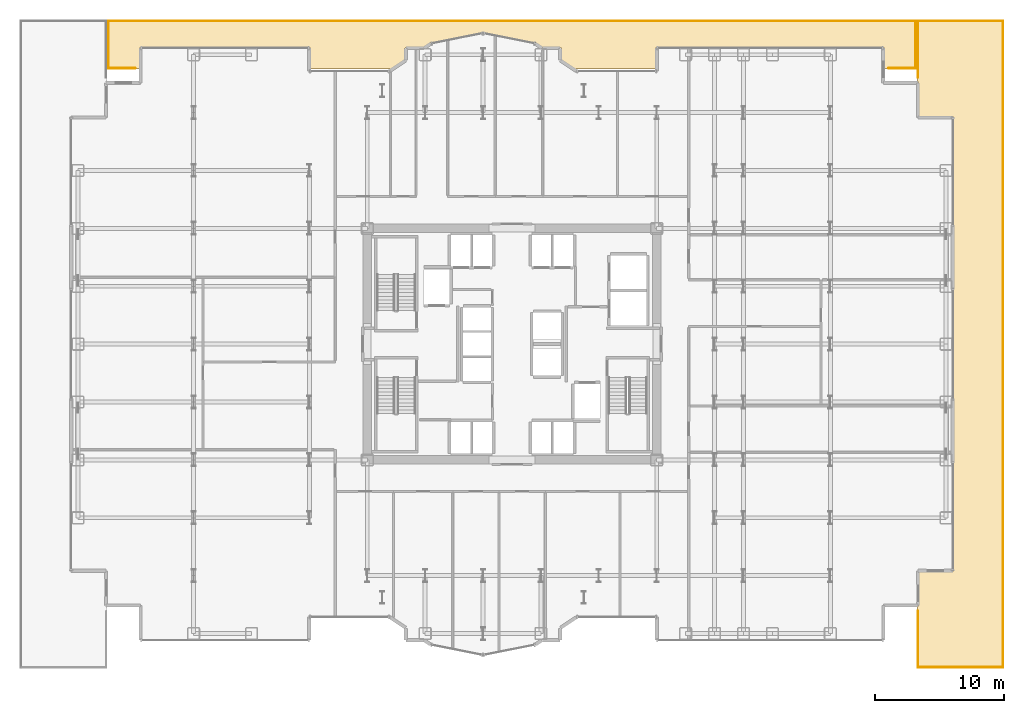
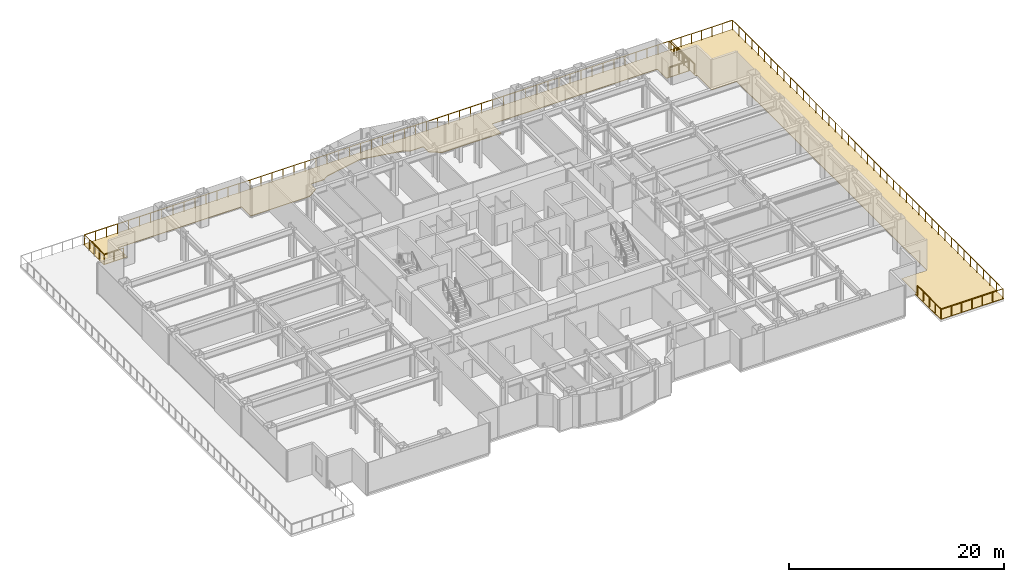
# One storey, part 30 of 30: 4 railings, 2 coverings.
"""IFC4 building model written with IfcOpenShell, lengths in metres."""

from ifc_helpers import new_model, si_unit, direction, frame, origin, origin_2d, place, context, subcontext, project, spatial, polyline, circle, outline, extrude, material, layer, layer_set, type_object, element, save


model = new_model("IFC4")

# Units and contexts
model_context = context("Model", 3, precision=1e-05, world=origin(), true_north=direction((0.0, 1.0)))
body_context = subcontext(model_context, "Body", "Model", "MODEL_VIEW")
ifc_project = project(units=[si_unit("LENGTHUNIT", "METRE"), si_unit("AREAUNIT", "SQUARE_METRE"), si_unit("VOLUMEUNIT", "CUBIC_METRE"), si_unit("PLANEANGLEUNIT", "RADIAN"), si_unit("MASSUNIT", "GRAM", prefix="KILO")], contexts=[model_context])

# Site, building, storey
site_placement = place(None, origin())
site = spatial("IfcSite", under=ifc_project, at=site_placement, CompositionType="ELEMENT")
building_placement = place(site_placement, origin())
building = spatial("IfcBuilding", under=site, at=building_placement, Name="Nefas-Gora Pilgrimage Tower", CompositionType="ELEMENT")
storey_placement = place(building_placement, frame((0.0, 0.0, 33.0)))
storey = spatial("IfcBuildingStorey", under=building, at=storey_placement, Name="L06", CompositionType="ELEMENT", Elevation=33.0)

# Coverings
ifc_material_1 = material(Name="Elastomeric waterproof insulated roof membrane")
ifc_layer = layer(ifc_material_1, 0.06005859375)
ifc_layer_set = layer_set([ifc_layer], Name="Elastomeric waterproof insulated roof membrane")
covering_type = type_object("IfcCoveringType", Name="COV-ROOF-MEMB", PredefinedType="ROOFING", material=ifc_layer_set)
covering_1_placement = place(storey_placement, origin())
element("IfcCovering", 1, at=covering_1_placement, inside=storey, type_object=covering_type, Name="L06 Setback Terrace Waterproofing Membrane 2", PredefinedType="ROOFING", context=body_context, shape_type="SweptSolid", body=[
    extrude(outline(polyline([(31.469970703125, 25.199951171875), (31.469970703125, 20.3701171875), (31.570068359375, 20.3701171875), (31.574951171875, 20.369873046875), (31.579833984375, 20.368896484375), (31.58447265625, 20.367919921875), (31.589111328125, 20.3662109375), (31.593505859375, 20.364013671875), (31.597900390625, 20.361572265625), (31.601806640625, 20.358642578125), (31.60546875, 20.35546875), (31.608642578125, 20.351806640625), (31.611572265625, 20.347900390625), (31.614013671875, 20.343505859375), (31.6162109375, 20.339111328125), (31.617919921875, 20.33447265625), (31.618896484375, 20.329833984375), (31.619873046875, 20.324951171875), (31.6201171875, 20.320068359375), (31.6201171875, 17.669921875), (34.27001953125, 17.669921875), (34.27490234375, 17.669921875), (34.27978515625, 17.6689453125), (34.284423828125, 17.667724609375), (34.2890625, 17.666259765625), (34.293701171875, 17.6640625), (34.2978515625, 17.66162109375), (34.3017578125, 17.65869140625), (34.305419921875, 17.655517578125), (34.30859375, 17.651611328125), (34.3115234375, 17.647705078125), (34.314208984375, 17.6435546875), (34.316162109375, 17.63916015625), (34.31787109375, 17.634521484375), (34.319091796875, 17.6298828125), (34.31982421875, 17.625), (34.320068359375, 17.6201171875), (34.320068359375, -17.6201171875), (34.31982421875, -17.625), (34.319091796875, -17.6298828125), (34.31787109375, -17.634521484375), (34.316162109375, -17.63916015625), (34.314208984375, -17.6435546875), (34.3115234375, -17.647705078125), (34.30859375, -17.651611328125), (34.305419921875, -17.655517578125), (34.3017578125, -17.65869140625), (34.2978515625, -17.66162109375), (34.293701171875, -17.6640625), (34.2890625, -17.666259765625), (34.284423828125, -17.667724609375), (34.27978515625, -17.6689453125), (34.27490234375, -17.669921875), (34.27001953125, -17.669921875), (31.6201171875, -17.669921875), (31.6201171875, -20.320068359375), (31.619873046875, -20.324951171875), (31.618896484375, -20.329833984375), (31.617919921875, -20.33447265625), (31.6162109375, -20.339111328125), (31.614013671875, -20.343505859375), (31.611572265625, -20.347900390625), (31.608642578125, -20.351806640625), (31.60546875, -20.35546875), (31.601806640625, -20.358642578125), (31.597900390625, -20.361572265625), (31.593505859375, -20.364013671875), (31.589111328125, -20.3662109375), (31.58447265625, -20.367919921875), (31.579833984375, -20.368896484375), (31.574951171875, -20.369873046875), (31.570068359375, -20.3701171875), (31.469970703125, -20.3701171875), (31.469970703125, -25.199951171875), (38.25, -25.199951171875), (38.25, 25.199951171875), (31.469970703125, 25.199951171875)])), origin(), (0.0, 0.0, 1.0), 0.06005859375),
])
covering_2_placement = place(storey_placement, origin())
element("IfcCovering", 2, at=covering_2_placement, inside=storey, type_object=covering_type, Name="L06 Setback Terrace Waterproofing Membrane 3", PredefinedType="ROOFING", context=body_context, shape_type="SweptSolid", body=[
    extrude(outline(polyline([(-31.449951171875, 25.199951171875), (-31.449951171875, 21.372314453125), (-28.919921875, 21.372314453125), (-28.919921875, 23.02001953125), (-28.919921875, 23.02490234375), (-28.9189453125, 23.02978515625), (-28.917724609375, 23.034423828125), (-28.916259765625, 23.0390625), (-28.9140625, 23.043701171875), (-28.91162109375, 23.0478515625), (-28.90869140625, 23.0517578125), (-28.905517578125, 23.055419921875), (-28.901611328125, 23.05859375), (-28.897705078125, 23.0615234375), (-28.8935546875, 23.064208984375), (-28.88916015625, 23.066162109375), (-28.884521484375, 23.06787109375), (-28.8798828125, 23.069091796875), (-28.875, 23.06982421875), (-28.8701171875, 23.070068359375), (-15.75, 23.070068359375), (-15.7451171875, 23.06982421875), (-15.740234375, 23.069091796875), (-15.735595703125, 23.06787109375), (-15.73095703125, 23.066162109375), (-15.726318359375, 23.064208984375), (-15.72216796875, 23.0615234375), (-15.71826171875, 23.05859375), (-15.714599609375, 23.055419921875), (-15.711181640625, 23.0517578125), (-15.70849609375, 23.0478515625), (-15.705810546875, 23.043701171875), (-15.703857421875, 23.0390625), (-15.7021484375, 23.034423828125), (-15.700927734375, 23.02978515625), (-15.7001953125, 23.02490234375), (-15.699951171875, 23.02001953125), (-15.699951171875, 21.372314453125), (-9.3798828125, 21.372314453125), (-8.300048828125, 22.093994140625), (-8.300048828125, 23.02001953125), (-8.2998046875, 23.02490234375), (-8.299072265625, 23.02978515625), (-8.2978515625, 23.034423828125), (-8.296142578125, 23.0390625), (-8.294189453125, 23.043701171875), (-8.29150390625, 23.0478515625), (-8.288818359375, 23.0517578125), (-8.285400390625, 23.055419921875), (-8.28173828125, 23.05859375), (-8.27783203125, 23.0615234375), (-8.273681640625, 23.064208984375), (-8.26904296875, 23.066162109375), (-8.264404296875, 23.06787109375), (-8.259765625, 23.069091796875), (-8.2548828125, 23.06982421875), (-8.25, 23.070068359375), (-6.83935546875, 23.070068359375), (-6.335205078125, 23.406982421875), (-6.330810546875, 23.409423828125), (-6.326416015625, 23.41162109375), (-6.322021484375, 23.4130859375), (-6.317138671875, 23.414306640625), (-2.259765625, 24.221435546875), (-2.2548828125, 24.22216796875), (-2.25, 24.222412109375), (-2.2451171875, 24.22216796875), (-2.240234375, 24.221435546875), (1.817138671875, 23.414306640625), (1.822021484375, 23.4130859375), (1.826416015625, 23.41162109375), (1.830810546875, 23.409423828125), (1.835205078125, 23.406982421875), (2.33935546875, 23.070068359375), (3.75, 23.070068359375), (3.7548828125, 23.06982421875), (3.759765625, 23.069091796875), (3.764404296875, 23.06787109375), (3.76904296875, 23.066162109375), (3.773681640625, 23.064208984375), (3.77783203125, 23.0615234375), (3.78173828125, 23.05859375), (3.785400390625, 23.055419921875), (3.788818359375, 23.0517578125), (3.79150390625, 23.0478515625), (3.794189453125, 23.043701171875), (3.796142578125, 23.0390625), (3.7978515625, 23.034423828125), (3.799072265625, 23.02978515625), (3.7998046875, 23.02490234375), (3.800048828125, 23.02001953125), (3.800048828125, 22.093994140625), (4.8798828125, 21.372314453125), (11.199951171875, 21.372314453125), (11.199951171875, 23.02001953125), (11.2001953125, 23.02490234375), (11.200927734375, 23.02978515625), (11.2021484375, 23.034423828125), (11.203857421875, 23.0390625), (11.205810546875, 23.043701171875), (11.20849609375, 23.0478515625), (11.211181640625, 23.0517578125), (11.214599609375, 23.055419921875), (11.21826171875, 23.05859375), (11.22216796875, 23.0615234375), (11.226318359375, 23.064208984375), (11.23095703125, 23.066162109375), (11.235595703125, 23.06787109375), (11.240234375, 23.069091796875), (11.2451171875, 23.06982421875), (11.25, 23.070068359375), (28.8701171875, 23.070068359375), (28.875, 23.06982421875), (28.8798828125, 23.069091796875), (28.884521484375, 23.06787109375), (28.88916015625, 23.066162109375), (28.8935546875, 23.064208984375), (28.897705078125, 23.0615234375), (28.901611328125, 23.05859375), (28.905517578125, 23.055419921875), (28.90869140625, 23.0517578125), (28.91162109375, 23.0478515625), (28.9140625, 23.043701171875), (28.916259765625, 23.0390625), (28.917724609375, 23.034423828125), (28.9189453125, 23.02978515625), (28.919921875, 23.02490234375), (28.919921875, 23.02001953125), (28.919921875, 21.372314453125), (31.449951171875, 21.372314453125), (31.449951171875, 25.199951171875), (-31.449951171875, 25.199951171875)])), origin(), (0.0, 0.0, 1.0), 0.06005859375),
])

# Railings
ifc_material_2 = material(Name="Laminated safety glass and stainless steel", Category="steel")
railing_type = type_object("IfcRailingType", Name="RLG-TER-1150", PredefinedType="BALUSTRADE", material=ifc_material_2)
railing_1_placement = place(storey_placement, frame((31.550048828125, 25.1201171875, 0.0)))
element("IfcRailing", 3, at=railing_1_placement, inside=storey, type_object=railing_type, Name="L06 Terrace Continuous Balustrade TER-L06-2.1", PredefinedType="BALUSTRADE", context=body_context, shape_type="SweptSolid", body=[
    extrude(circle(Radius=0.02392578125, at=origin_2d()), frame((0.0, 0.0, 1.1259765625), z_axis=(1.0, 0.0, 0.0), x_axis=(0.0, 1.0, 0.0)), (0.0, 0.0, 1.0), 6.619873046875),
    extrude(circle(Radius=0.02392578125, at=origin_2d()), frame((6.619873046875, 0.0, 1.1259765625), z_axis=(0.0, -1.0, 0.0), x_axis=(1.0, 0.0, 0.0)), (0.0, 0.0, 1.0), 50.240234375),
    extrude(circle(Radius=0.02392578125, at=origin_2d()), frame((6.619873046875, -50.240234375, 1.1259765625), z_axis=(-1.0, 0.0, 0.0), x_axis=(0.0, -1.0, 0.0)), (0.0, 0.0, 1.0), 6.619873046875),
    extrude(circle(Radius=0.02392578125, at=origin_2d()), frame((0.0, -50.240234375, 1.1259765625), z_axis=(0.0, 1.0, 0.0), x_axis=(-1.0, 0.0, 0.0)), (0.0, 0.0, 1.0), 4.380126953125),
    extrude(circle(Radius=0.02099609375, at=origin_2d()), origin(), (0.0, 0.0, 1.0), 1.101806640625),
    extrude(circle(Radius=0.02099609375, at=origin_2d()), frame((1.103271484375, 0.0, 0.0)), (0.0, 0.0, 1.0), 1.101806640625),
    extrude(circle(Radius=0.02099609375, at=origin_2d()), frame((2.20654296875, 0.0, 0.0)), (0.0, 0.0, 1.0), 1.101806640625),
    extrude(circle(Radius=0.02099609375, at=origin_2d()), frame((3.31005859375, 0.0, 0.0)), (0.0, 0.0, 1.0), 1.101806640625),
    extrude(circle(Radius=0.02099609375, at=origin_2d()), frame((4.413330078125, 0.0, 0.0)), (0.0, 0.0, 1.0), 1.101806640625),
    extrude(circle(Radius=0.02099609375, at=origin_2d()), frame((5.5166015625, 0.0, 0.0)), (0.0, 0.0, 1.0), 1.101806640625),
    extrude(circle(Radius=0.02099609375, at=origin_2d()), frame((6.619873046875, 0.0, 0.0)), (0.0, 0.0, 1.0), 1.101806640625),
    extrude(circle(Radius=0.02099609375, at=origin_2d()), frame((6.619873046875, -1.1962890625, 0.0)), (0.0, 0.0, 1.0), 1.101806640625),
    extrude(circle(Radius=0.02099609375, at=origin_2d()), frame((6.619873046875, -2.392333984375, 0.0)), (0.0, 0.0, 1.0), 1.101806640625),
    extrude(circle(Radius=0.02099609375, at=origin_2d()), frame((6.619873046875, -3.588623046875, 0.0)), (0.0, 0.0, 1.0), 1.101806640625),
    extrude(circle(Radius=0.02099609375, at=origin_2d()), frame((6.619873046875, -4.78466796875, 0.0)), (0.0, 0.0, 1.0), 1.101806640625),
    extrude(circle(Radius=0.02099609375, at=origin_2d()), frame((6.619873046875, -5.98095703125, 0.0)), (0.0, 0.0, 1.0), 1.101806640625),
    extrude(circle(Radius=0.02099609375, at=origin_2d()), frame((6.619873046875, -7.17724609375, 0.0)), (0.0, 0.0, 1.0), 1.101806640625),
    extrude(circle(Radius=0.02099609375, at=origin_2d()), frame((6.619873046875, -8.373291015625, 0.0)), (0.0, 0.0, 1.0), 1.101806640625),
    extrude(circle(Radius=0.02099609375, at=origin_2d()), frame((6.619873046875, -9.569580078125, 0.0)), (0.0, 0.0, 1.0), 1.101806640625),
    extrude(circle(Radius=0.02099609375, at=origin_2d()), frame((6.619873046875, -10.765869140625, 0.0)), (0.0, 0.0, 1.0), 1.101806640625),
    extrude(circle(Radius=0.02099609375, at=origin_2d()), frame((6.619873046875, -11.9619140625, 0.0)), (0.0, 0.0, 1.0), 1.101806640625),
    extrude(circle(Radius=0.02099609375, at=origin_2d()), frame((6.619873046875, -13.158203125, 0.0)), (0.0, 0.0, 1.0), 1.101806640625),
    extrude(circle(Radius=0.02099609375, at=origin_2d()), frame((6.619873046875, -14.354248046875, 0.0)), (0.0, 0.0, 1.0), 1.101806640625),
    extrude(circle(Radius=0.02099609375, at=origin_2d()), frame((6.619873046875, -15.550537109375, 0.0)), (0.0, 0.0, 1.0), 1.101806640625),
    extrude(circle(Radius=0.02099609375, at=origin_2d()), frame((6.619873046875, -16.746826171875, 0.0)), (0.0, 0.0, 1.0), 1.101806640625),
    extrude(circle(Radius=0.02099609375, at=origin_2d()), frame((6.619873046875, -17.94287109375, 0.0)), (0.0, 0.0, 1.0), 1.101806640625),
    extrude(circle(Radius=0.02099609375, at=origin_2d()), frame((6.619873046875, -19.13916015625, 0.0)), (0.0, 0.0, 1.0), 1.101806640625),
    extrude(circle(Radius=0.02099609375, at=origin_2d()), frame((6.619873046875, -20.33544921875, 0.0)), (0.0, 0.0, 1.0), 1.101806640625),
    extrude(circle(Radius=0.02099609375, at=origin_2d()), frame((6.619873046875, -21.531494140625, 0.0)), (0.0, 0.0, 1.0), 1.101806640625),
    extrude(circle(Radius=0.02099609375, at=origin_2d()), frame((6.619873046875, -22.727783203125, 0.0)), (0.0, 0.0, 1.0), 1.101806640625),
    extrude(circle(Radius=0.02099609375, at=origin_2d()), frame((6.619873046875, -23.923828125, 0.0)), (0.0, 0.0, 1.0), 1.101806640625),
    extrude(circle(Radius=0.02099609375, at=origin_2d()), frame((6.619873046875, -25.1201171875, 0.0)), (0.0, 0.0, 1.0), 1.101806640625),
    extrude(circle(Radius=0.02099609375, at=origin_2d()), frame((6.619873046875, -26.31640625, 0.0)), (0.0, 0.0, 1.0), 1.101806640625),
    extrude(circle(Radius=0.02099609375, at=origin_2d()), frame((6.619873046875, -27.512451171875, 0.0)), (0.0, 0.0, 1.0), 1.101806640625),
    extrude(circle(Radius=0.02099609375, at=origin_2d()), frame((6.619873046875, -28.708740234375, 0.0)), (0.0, 0.0, 1.0), 1.101806640625),
    extrude(circle(Radius=0.02099609375, at=origin_2d()), frame((6.619873046875, -29.90478515625, 0.0)), (0.0, 0.0, 1.0), 1.101806640625),
    extrude(circle(Radius=0.02099609375, at=origin_2d()), frame((6.619873046875, -31.10107421875, 0.0)), (0.0, 0.0, 1.0), 1.101806640625),
    extrude(circle(Radius=0.02099609375, at=origin_2d()), frame((6.619873046875, -32.29736328125, 0.0)), (0.0, 0.0, 1.0), 1.101806640625),
    extrude(circle(Radius=0.02099609375, at=origin_2d()), frame((6.619873046875, -33.493408203125, 0.0)), (0.0, 0.0, 1.0), 1.101806640625),
    extrude(circle(Radius=0.02099609375, at=origin_2d()), frame((6.619873046875, -34.689697265625, 0.0)), (0.0, 0.0, 1.0), 1.101806640625),
    extrude(circle(Radius=0.02099609375, at=origin_2d()), frame((6.619873046875, -35.885986328125, 0.0)), (0.0, 0.0, 1.0), 1.101806640625),
    extrude(circle(Radius=0.02099609375, at=origin_2d()), frame((6.619873046875, -37.08203125, 0.0)), (0.0, 0.0, 1.0), 1.101806640625),
    extrude(circle(Radius=0.02099609375, at=origin_2d()), frame((6.619873046875, -38.2783203125, 0.0)), (0.0, 0.0, 1.0), 1.101806640625),
    extrude(circle(Radius=0.02099609375, at=origin_2d()), frame((6.619873046875, -39.474365234375, 0.0)), (0.0, 0.0, 1.0), 1.101806640625),
    extrude(circle(Radius=0.02099609375, at=origin_2d()), frame((6.619873046875, -40.670654296875, 0.0)), (0.0, 0.0, 1.0), 1.101806640625),
    extrude(circle(Radius=0.02099609375, at=origin_2d()), frame((6.619873046875, -41.866943359375, 0.0)), (0.0, 0.0, 1.0), 1.101806640625),
    extrude(circle(Radius=0.02099609375, at=origin_2d()), frame((6.619873046875, -43.06298828125, 0.0)), (0.0, 0.0, 1.0), 1.101806640625),
    extrude(circle(Radius=0.02099609375, at=origin_2d()), frame((6.619873046875, -44.25927734375, 0.0)), (0.0, 0.0, 1.0), 1.101806640625),
    extrude(circle(Radius=0.02099609375, at=origin_2d()), frame((6.619873046875, -45.45556640625, 0.0)), (0.0, 0.0, 1.0), 1.101806640625),
    extrude(circle(Radius=0.02099609375, at=origin_2d()), frame((6.619873046875, -46.651611328125, 0.0)), (0.0, 0.0, 1.0), 1.101806640625),
    extrude(circle(Radius=0.02099609375, at=origin_2d()), frame((6.619873046875, -47.847900390625, 0.0)), (0.0, 0.0, 1.0), 1.101806640625),
    extrude(circle(Radius=0.02099609375, at=origin_2d()), frame((6.619873046875, -49.0439453125, 0.0)), (0.0, 0.0, 1.0), 1.101806640625),
    extrude(circle(Radius=0.02099609375, at=origin_2d()), frame((6.619873046875, -50.240234375, 0.0)), (0.0, 0.0, 1.0), 1.101806640625),
    extrude(circle(Radius=0.02099609375, at=origin_2d()), frame((5.5166015625, -50.240234375, 0.0)), (0.0, 0.0, 1.0), 1.101806640625),
    extrude(circle(Radius=0.02099609375, at=origin_2d()), frame((4.413330078125, -50.240234375, 0.0)), (0.0, 0.0, 1.0), 1.101806640625),
    extrude(circle(Radius=0.02099609375, at=origin_2d()), frame((3.31005859375, -50.240234375, 0.0)), (0.0, 0.0, 1.0), 1.101806640625),
    extrude(circle(Radius=0.02099609375, at=origin_2d()), frame((2.20654296875, -50.240234375, 0.0)), (0.0, 0.0, 1.0), 1.101806640625),
    extrude(circle(Radius=0.02099609375, at=origin_2d()), frame((1.103271484375, -50.240234375, 0.0)), (0.0, 0.0, 1.0), 1.101806640625),
    extrude(circle(Radius=0.02099609375, at=origin_2d()), frame((0.0, -50.240234375, 0.0)), (0.0, 0.0, 1.0), 1.101806640625),
    extrude(circle(Radius=0.02099609375, at=origin_2d()), frame((0.0, -49.145263671875, 0.0)), (0.0, 0.0, 1.0), 1.101806640625),
    extrude(circle(Radius=0.02099609375, at=origin_2d()), frame((0.0, -48.05029296875, 0.0)), (0.0, 0.0, 1.0), 1.101806640625),
    extrude(circle(Radius=0.02099609375, at=origin_2d()), frame((0.0, -46.955078125, 0.0)), (0.0, 0.0, 1.0), 1.101806640625),
    extrude(circle(Radius=0.02099609375, at=origin_2d()), frame((0.0, -45.860107421875, 0.0)), (0.0, 0.0, 1.0), 1.101806640625),
])
railing_2_placement = place(storey_placement, frame((31.550048828125, 20.739990234375, 0.0)))
element("IfcRailing", 4, at=railing_2_placement, inside=storey, type_object=railing_type, Name="L06 Terrace Continuous Balustrade TER-L06-2.2", PredefinedType="BALUSTRADE", context=body_context, shape_type="SweptSolid", body=[
    extrude(circle(Radius=0.02392578125, at=origin_2d()), frame((0.0, 0.0, 1.1259765625), z_axis=(0.0, 1.0, 0.0), x_axis=(-1.0, 0.0, 0.0)), (0.0, 0.0, 1.0), 4.380126953125),
    extrude(circle(Radius=0.02099609375, at=origin_2d()), origin(), (0.0, 0.0, 1.0), 1.101806640625),
    extrude(circle(Radius=0.02099609375, at=origin_2d()), frame((0.0, 1.094970703125, 0.0)), (0.0, 0.0, 1.0), 1.101806640625),
    extrude(circle(Radius=0.02099609375, at=origin_2d()), frame((0.0, 2.18994140625, 0.0)), (0.0, 0.0, 1.0), 1.101806640625),
    extrude(circle(Radius=0.02099609375, at=origin_2d()), frame((0.0, 3.28515625, 0.0)), (0.0, 0.0, 1.0), 1.101806640625),
    extrude(circle(Radius=0.02099609375, at=origin_2d()), frame((0.0, 4.380126953125, 0.0)), (0.0, 0.0, 1.0), 1.101806640625),
])
railing_3_placement = place(storey_placement, frame((-31.3701171875, 25.1201171875, 0.0)))
element("IfcRailing", 5, at=railing_3_placement, inside=storey, type_object=railing_type, Name="L06 Terrace Continuous Balustrade TER-L06-3.1", PredefinedType="BALUSTRADE", context=body_context, shape_type="SweptSolid", body=[
    extrude(circle(Radius=0.02392578125, at=origin_2d()), frame((0.0, 0.0, 1.1259765625), z_axis=(1.0, 0.0, 0.0), x_axis=(0.0, 1.0, 0.0)), (0.0, 0.0, 1.0), 62.740234375),
    extrude(circle(Radius=0.02392578125, at=origin_2d()), frame((62.740234375, 0.0, 1.1259765625), z_axis=(0.0, -1.0, 0.0), x_axis=(1.0, 0.0, 0.0)), (0.0, 0.0, 1.0), 3.667724609375),
    extrude(circle(Radius=0.02392578125, at=origin_2d()), frame((62.740234375, -3.667724609375, 1.1259765625), z_axis=(-1.0, 0.0, 0.0), x_axis=(0.0, -1.0, 0.0)), (0.0, 0.0, 1.0), 2.080078125),
    extrude(circle(Radius=0.02099609375, at=origin_2d()), origin(), (0.0, 0.0, 1.0), 1.101806640625),
    extrude(circle(Radius=0.02099609375, at=origin_2d()), frame((1.183837890625, 0.0, 0.0)), (0.0, 0.0, 1.0), 1.101806640625),
    extrude(circle(Radius=0.02099609375, at=origin_2d()), frame((2.36767578125, 0.0, 0.0)), (0.0, 0.0, 1.0), 1.101806640625),
    extrude(circle(Radius=0.02099609375, at=origin_2d()), frame((3.55126953125, 0.0, 0.0)), (0.0, 0.0, 1.0), 1.101806640625),
    extrude(circle(Radius=0.02099609375, at=origin_2d()), frame((4.735107421875, 0.0, 0.0)), (0.0, 0.0, 1.0), 1.101806640625),
    extrude(circle(Radius=0.02099609375, at=origin_2d()), frame((5.9189453125, 0.0, 0.0)), (0.0, 0.0, 1.0), 1.101806640625),
    extrude(circle(Radius=0.02099609375, at=origin_2d()), frame((7.102783203125, 0.0, 0.0)), (0.0, 0.0, 1.0), 1.101806640625),
    extrude(circle(Radius=0.02099609375, at=origin_2d()), frame((8.286376953125, 0.0, 0.0)), (0.0, 0.0, 1.0), 1.101806640625),
    extrude(circle(Radius=0.02099609375, at=origin_2d()), frame((9.47021484375, 0.0, 0.0)), (0.0, 0.0, 1.0), 1.101806640625),
    extrude(circle(Radius=0.02099609375, at=origin_2d()), frame((10.654052734375, 0.0, 0.0)), (0.0, 0.0, 1.0), 1.101806640625),
    extrude(circle(Radius=0.02099609375, at=origin_2d()), frame((11.837890625, 0.0, 0.0)), (0.0, 0.0, 1.0), 1.101806640625),
    extrude(circle(Radius=0.02099609375, at=origin_2d()), frame((13.021484375, 0.0, 0.0)), (0.0, 0.0, 1.0), 1.101806640625),
    extrude(circle(Radius=0.02099609375, at=origin_2d()), frame((14.205322265625, 0.0, 0.0)), (0.0, 0.0, 1.0), 1.101806640625),
    extrude(circle(Radius=0.02099609375, at=origin_2d()), frame((15.38916015625, 0.0, 0.0)), (0.0, 0.0, 1.0), 1.101806640625),
    extrude(circle(Radius=0.02099609375, at=origin_2d()), frame((16.572998046875, 0.0, 0.0)), (0.0, 0.0, 1.0), 1.101806640625),
    extrude(circle(Radius=0.02099609375, at=origin_2d()), frame((17.756591796875, 0.0, 0.0)), (0.0, 0.0, 1.0), 1.101806640625),
    extrude(circle(Radius=0.02099609375, at=origin_2d()), frame((18.9404296875, 0.0, 0.0)), (0.0, 0.0, 1.0), 1.101806640625),
    extrude(circle(Radius=0.02099609375, at=origin_2d()), frame((20.124267578125, 0.0, 0.0)), (0.0, 0.0, 1.0), 1.101806640625),
    extrude(circle(Radius=0.02099609375, at=origin_2d()), frame((21.30810546875, 0.0, 0.0)), (0.0, 0.0, 1.0), 1.101806640625),
    extrude(circle(Radius=0.02099609375, at=origin_2d()), frame((22.49169921875, 0.0, 0.0)), (0.0, 0.0, 1.0), 1.101806640625),
    extrude(circle(Radius=0.02099609375, at=origin_2d()), frame((23.675537109375, 0.0, 0.0)), (0.0, 0.0, 1.0), 1.101806640625),
    extrude(circle(Radius=0.02099609375, at=origin_2d()), frame((24.859375, 0.0, 0.0)), (0.0, 0.0, 1.0), 1.101806640625),
    extrude(circle(Radius=0.02099609375, at=origin_2d()), frame((26.043212890625, 0.0, 0.0)), (0.0, 0.0, 1.0), 1.101806640625),
    extrude(circle(Radius=0.02099609375, at=origin_2d()), frame((27.226806640625, 0.0, 0.0)), (0.0, 0.0, 1.0), 1.101806640625),
    extrude(circle(Radius=0.02099609375, at=origin_2d()), frame((28.41064453125, 0.0, 0.0)), (0.0, 0.0, 1.0), 1.101806640625),
    extrude(circle(Radius=0.02099609375, at=origin_2d()), frame((29.594482421875, 0.0, 0.0)), (0.0, 0.0, 1.0), 1.101806640625),
    extrude(circle(Radius=0.02099609375, at=origin_2d()), frame((30.7783203125, 0.0, 0.0)), (0.0, 0.0, 1.0), 1.101806640625),
    extrude(circle(Radius=0.02099609375, at=origin_2d()), frame((31.9619140625, 0.0, 0.0)), (0.0, 0.0, 1.0), 1.101806640625),
    extrude(circle(Radius=0.02099609375, at=origin_2d()), frame((33.145751953125, 0.0, 0.0)), (0.0, 0.0, 1.0), 1.101806640625),
    extrude(circle(Radius=0.02099609375, at=origin_2d()), frame((34.32958984375, 0.0, 0.0)), (0.0, 0.0, 1.0), 1.101806640625),
    extrude(circle(Radius=0.02099609375, at=origin_2d()), frame((35.513427734375, 0.0, 0.0)), (0.0, 0.0, 1.0), 1.101806640625),
    extrude(circle(Radius=0.02099609375, at=origin_2d()), frame((36.697021484375, 0.0, 0.0)), (0.0, 0.0, 1.0), 1.101806640625),
    extrude(circle(Radius=0.02099609375, at=origin_2d()), frame((37.880859375, 0.0, 0.0)), (0.0, 0.0, 1.0), 1.101806640625),
    extrude(circle(Radius=0.02099609375, at=origin_2d()), frame((39.064697265625, 0.0, 0.0)), (0.0, 0.0, 1.0), 1.101806640625),
    extrude(circle(Radius=0.02099609375, at=origin_2d()), frame((40.24853515625, 0.0, 0.0)), (0.0, 0.0, 1.0), 1.101806640625),
    extrude(circle(Radius=0.02099609375, at=origin_2d()), frame((41.43212890625, 0.0, 0.0)), (0.0, 0.0, 1.0), 1.101806640625),
    extrude(circle(Radius=0.02099609375, at=origin_2d()), frame((42.615966796875, 0.0, 0.0)), (0.0, 0.0, 1.0), 1.101806640625),
    extrude(circle(Radius=0.02099609375, at=origin_2d()), frame((43.7998046875, 0.0, 0.0)), (0.0, 0.0, 1.0), 1.101806640625),
    extrude(circle(Radius=0.02099609375, at=origin_2d()), frame((44.983642578125, 0.0, 0.0)), (0.0, 0.0, 1.0), 1.101806640625),
    extrude(circle(Radius=0.02099609375, at=origin_2d()), frame((46.167236328125, 0.0, 0.0)), (0.0, 0.0, 1.0), 1.101806640625),
    extrude(circle(Radius=0.02099609375, at=origin_2d()), frame((47.35107421875, 0.0, 0.0)), (0.0, 0.0, 1.0), 1.101806640625),
    extrude(circle(Radius=0.02099609375, at=origin_2d()), frame((48.534912109375, 0.0, 0.0)), (0.0, 0.0, 1.0), 1.101806640625),
    extrude(circle(Radius=0.02099609375, at=origin_2d()), frame((49.71875, 0.0, 0.0)), (0.0, 0.0, 1.0), 1.101806640625),
    extrude(circle(Radius=0.02099609375, at=origin_2d()), frame((50.90234375, 0.0, 0.0)), (0.0, 0.0, 1.0), 1.101806640625),
    extrude(circle(Radius=0.02099609375, at=origin_2d()), frame((52.086181640625, 0.0, 0.0)), (0.0, 0.0, 1.0), 1.101806640625),
    extrude(circle(Radius=0.02099609375, at=origin_2d()), frame((53.27001953125, 0.0, 0.0)), (0.0, 0.0, 1.0), 1.101806640625),
    extrude(circle(Radius=0.02099609375, at=origin_2d()), frame((54.453857421875, 0.0, 0.0)), (0.0, 0.0, 1.0), 1.101806640625),
    extrude(circle(Radius=0.02099609375, at=origin_2d()), frame((55.637451171875, 0.0, 0.0)), (0.0, 0.0, 1.0), 1.101806640625),
    extrude(circle(Radius=0.02099609375, at=origin_2d()), frame((56.8212890625, 0.0, 0.0)), (0.0, 0.0, 1.0), 1.101806640625),
    extrude(circle(Radius=0.02099609375, at=origin_2d()), frame((58.005126953125, 0.0, 0.0)), (0.0, 0.0, 1.0), 1.101806640625),
    extrude(circle(Radius=0.02099609375, at=origin_2d()), frame((59.18896484375, 0.0, 0.0)), (0.0, 0.0, 1.0), 1.101806640625),
    extrude(circle(Radius=0.02099609375, at=origin_2d()), frame((60.37255859375, 0.0, 0.0)), (0.0, 0.0, 1.0), 1.101806640625),
    extrude(circle(Radius=0.02099609375, at=origin_2d()), frame((61.556396484375, 0.0, 0.0)), (0.0, 0.0, 1.0), 1.101806640625),
    extrude(circle(Radius=0.02099609375, at=origin_2d()), frame((62.740234375, 0.0, 0.0)), (0.0, 0.0, 1.0), 1.101806640625),
    extrude(circle(Radius=0.02099609375, at=origin_2d()), frame((62.740234375, -0.9169921875, 0.0)), (0.0, 0.0, 1.0), 1.101806640625),
    extrude(circle(Radius=0.02099609375, at=origin_2d()), frame((62.740234375, -1.833984375, 0.0)), (0.0, 0.0, 1.0), 1.101806640625),
    extrude(circle(Radius=0.02099609375, at=origin_2d()), frame((62.740234375, -2.750732421875, 0.0)), (0.0, 0.0, 1.0), 1.101806640625),
    extrude(circle(Radius=0.02099609375, at=origin_2d()), frame((62.740234375, -3.667724609375, 0.0)), (0.0, 0.0, 1.0), 1.101806640625),
    extrude(circle(Radius=0.02099609375, at=origin_2d()), frame((61.7001953125, -3.667724609375, 0.0)), (0.0, 0.0, 1.0), 1.101806640625),
    extrude(circle(Radius=0.02099609375, at=origin_2d()), frame((60.66015625, -3.667724609375, 0.0)), (0.0, 0.0, 1.0), 1.101806640625),
])
railing_4_placement = place(storey_placement, frame((-29.2900390625, 21.452392578125, 0.0)))
element("IfcRailing", 6, at=railing_4_placement, inside=storey, type_object=railing_type, Name="L06 Terrace Continuous Balustrade TER-L06-3.2", PredefinedType="BALUSTRADE", context=body_context, shape_type="SweptSolid", body=[
    extrude(circle(Radius=0.02392578125, at=origin_2d()), frame((0.0, 0.0, 1.1259765625), z_axis=(-1.0, 0.0, 0.0), x_axis=(0.0, -1.0, 0.0)), (0.0, 0.0, 1.0), 2.080078125),
    extrude(circle(Radius=0.02392578125, at=origin_2d()), frame((-2.080078125, 0.0, 1.1259765625), z_axis=(0.0, 1.0, 0.0), x_axis=(-1.0, 0.0, 0.0)), (0.0, 0.0, 1.0), 3.667724609375),
    extrude(circle(Radius=0.02099609375, at=origin_2d()), origin(), (0.0, 0.0, 1.0), 1.101806640625),
    extrude(circle(Radius=0.02099609375, at=origin_2d()), frame((-1.0400390625, 0.0, 0.0)), (0.0, 0.0, 1.0), 1.101806640625),
    extrude(circle(Radius=0.02099609375, at=origin_2d()), frame((-2.080078125, 0.0, 0.0)), (0.0, 0.0, 1.0), 1.101806640625),
    extrude(circle(Radius=0.02099609375, at=origin_2d()), frame((-2.080078125, 0.9169921875, 0.0)), (0.0, 0.0, 1.0), 1.101806640625),
    extrude(circle(Radius=0.02099609375, at=origin_2d()), frame((-2.080078125, 1.833984375, 0.0)), (0.0, 0.0, 1.0), 1.101806640625),
    extrude(circle(Radius=0.02099609375, at=origin_2d()), frame((-2.080078125, 2.750732421875, 0.0)), (0.0, 0.0, 1.0), 1.101806640625),
    extrude(circle(Radius=0.02099609375, at=origin_2d()), frame((-2.080078125, 3.667724609375, 0.0)), (0.0, 0.0, 1.0), 1.101806640625),
])

save(model, "model.ifc")
